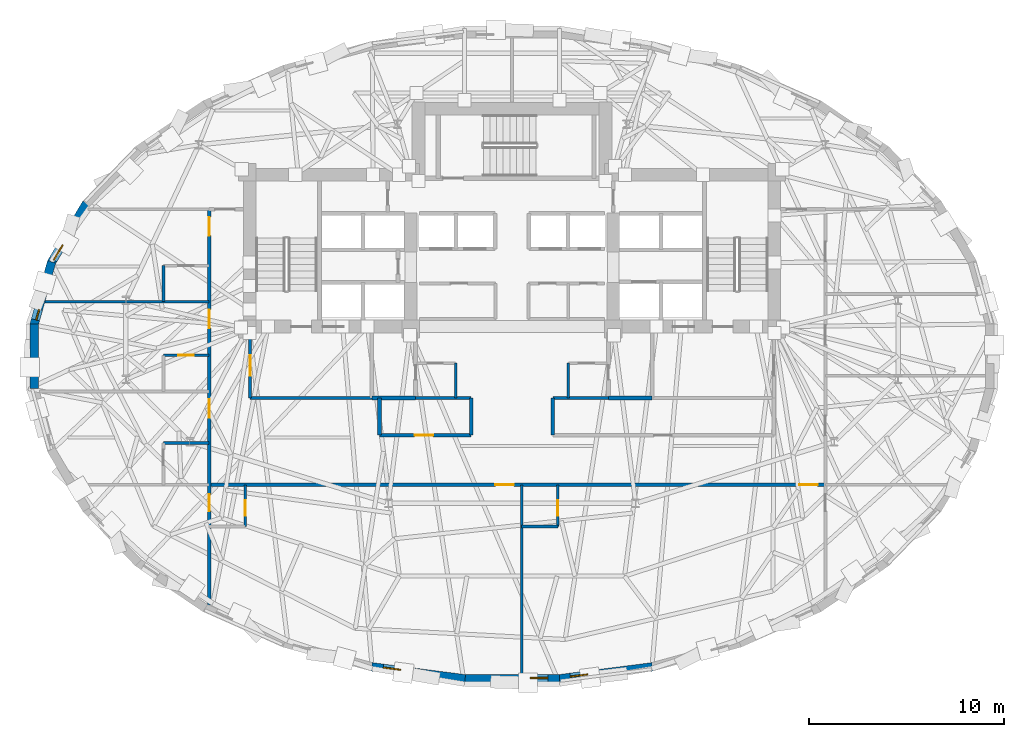
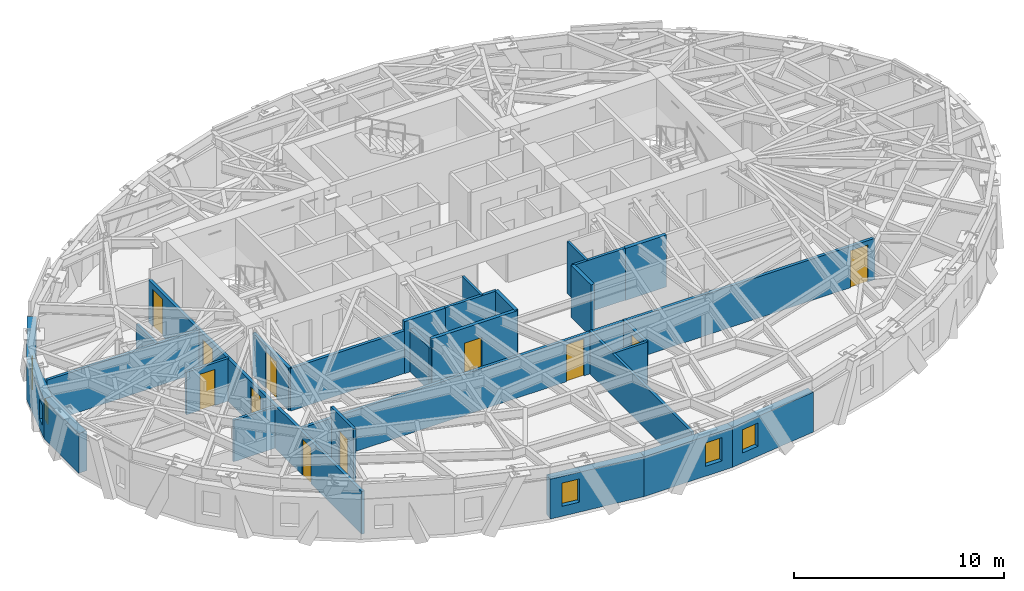
# One storey, part 6 of 14: 28 walls, 11 doors, 5 windows, 16 openings.
"""IFC4 building model written with IfcOpenShell, lengths in metres."""

from ifc_helpers import new_model, si_unit, direction, frame, frame_2d, origin, place, context, subcontext, project, spatial, rectangle, extrude, material, layer, layer_set, type_object, element, fill, save


model = new_model("IFC4")

# Units and contexts
model_context = context("Model", 3, precision=1e-05, world=origin(), true_north=direction((0.0, 1.0)))
body_context = subcontext(model_context, "Body", "Model", "MODEL_VIEW")
ifc_project = project(units=[si_unit("LENGTHUNIT", "METRE"), si_unit("AREAUNIT", "SQUARE_METRE"), si_unit("VOLUMEUNIT", "CUBIC_METRE"), si_unit("PLANEANGLEUNIT", "RADIAN"), si_unit("MASSUNIT", "GRAM", prefix="KILO")], contexts=[model_context])

# Site, building, storey
site_placement = place(None, origin())
site = spatial("IfcSite", under=ifc_project, at=site_placement, CompositionType="ELEMENT")
building_placement = place(site_placement, origin())
building = spatial("IfcBuilding", under=site, at=building_placement, Name="Keldmark Tower", CompositionType="ELEMENT")
storey_placement = place(building_placement, frame((0.0, 0.0, 169.39990234375)))
storey = spatial("IfcBuildingStorey", under=building, at=storey_placement, Name="L46", CompositionType="ELEMENT", Elevation=169.39990234375)

# Wall, opening, door
ifc_material_1 = material(Name="Heavy Acoustic Plumbing Chase Gypsum Assembly", Category="gypsum")
ifc_layer_1 = layer(ifc_material_1, 0.18994140625)
ifc_layer_set_1 = layer_set([ifc_layer_1], Name="Heavy Acoustic Plumbing Chase Gypsum Assembly")
wall_type_1 = type_object("IfcWallType", Name="Heavy Wet Wall 190 mm", PredefinedType="PLUMBINGWALL", material=ifc_layer_set_1)
wall_1_placement = place(storey_placement, frame((-6.800048828125, -4.050048828125, 0.0), z_axis=(0.0, 0.0, 1.0), x_axis=(1.0, 0.0, 0.0)))
wall_1 = element("IfcWall", 1, at=wall_1_placement, inside=storey, type_object=wall_type_1, Name="L46 Heavy Wet Wall 190 mm SPK-W-S", PredefinedType="PLUMBINGWALL", context=body_context, shape_type="SweptSolid", body=[
    extrude(rectangle(XDim=4.699951171875, YDim=0.18994140625, at=frame_2d((2.35009765625, 0.0))), origin(), (0.0, 0.0, 1.0), 3.02001953125),
])
opening_1_placement = place(wall_1_placement, frame((1.800048828125, 0.0, 0.0)))
opening_1 = element("IfcOpeningElement", 2, at=opening_1_placement, cuts=wall_1, Name="Opening D-AWC95", PredefinedType="OPENING", context=body_context, shape_type="SweptSolid", body=[
    extrude(rectangle(XDim=0.949951171875, YDim=2.14990234375, at=frame_2d((0.47509765625, 1.074951171875))), frame((0.0, 0.10498046875, 0.0), z_axis=(0.0, -1.0, 0.0), x_axis=(1.0, 0.0, 0.0)), (0.0, 0.0, 1.0), 0.2099609375),
])
ifc_material_2 = material(Name="Painted Solid-Core Architectural Wood", Category="wood")
door_type_1 = type_object("IfcDoorType", Name="Accessible WC Door 950x2150", OperationType="NOTDEFINED", PredefinedType="DOOR", material=ifc_material_2)
door_1_placement = place(opening_1_placement, origin())
door_1 = element("IfcDoor", 3, at=door_1_placement, inside=storey, type_object=door_type_1, Name="L46 Accessible WC Door 950x2150 D-SPKW1-L46", OperationType="SINGLE_SWING_LEFT", OverallHeight=2.14990234375, OverallWidth=0.949951171875, PredefinedType="DOOR", context=body_context, shape_type="SweptSolid", body=[
    extrude(rectangle(XDim=0.949951171875, YDim=2.14990234375, at=frame_2d((0.47509765625, 1.074951171875))), frame((0.0, 0.02490234375, 0.0), z_axis=(0.0, -1.0, 0.0), x_axis=(1.0, 0.0, 0.0)), (0.0, 0.0, 1.0), 0.050048828125),
])
fill(opening_1, door_1)

# Walls
wall_2_placement = place(storey_placement, frame((-6.800048828125, -4.050048828125, 0.0), z_axis=(0.0, 0.0, 1.0), x_axis=(0.0, 1.0, 0.0)))
element("IfcWall", 4, at=wall_2_placement, inside=storey, type_object=wall_type_1, Name="L46 Heavy Wet Wall 190 mm SPK-W-W", PredefinedType="PLUMBINGWALL", context=body_context, shape_type="SweptSolid", body=[
    extrude(rectangle(XDim=1.900146484375, YDim=0.18994140625, at=frame_2d((0.9501953125, 0.0))), origin(), (0.0, 0.0, 1.0), 2.47314453125),
])
for number, where, z_axis, x_axis, name in (
    (5, (-2.10009765625, -4.050048828125, 0.0), (0.0, 0.0, 1.0), (0.0, 1.0, 0.0), "L46 Heavy Wet Wall 190 mm SPK-W-E"),
    (6, (2.10009765625, -4.050048828125, 0.0), (0.0, 0.0, 1.0), (0.0, 1.0, 0.0), "L46 Heavy Wet Wall 190 mm SPK-E-W"),
):
    element("IfcWall", number, at=place(storey_placement, frame(where, z_axis=z_axis, x_axis=x_axis)), inside=storey, type_object=wall_type_1, Name=name, PredefinedType="PLUMBINGWALL", context=body_context, shape_type="SweptSolid", body=[
        extrude(rectangle(XDim=1.900146484375, YDim=0.18994140625, at=frame_2d((0.9501953125, 0.0))), origin(), (0.0, 0.0, 1.0), 3.02001953125),
    ])
ifc_material_3 = material(Name="Acoustic Gypsum Board Interior Partition", Category="gypsum")
ifc_layer_2 = layer(ifc_material_3, 0.1298828125)
ifc_layer_set_2 = layer_set([ifc_layer_2], Name="Acoustic Gypsum Board Interior Partition")
wall_type_2 = type_object("IfcWallType", Name="Interior Partition 130 mm", PredefinedType="PARTITIONING", material=ifc_layer_set_2)
for number, where, z_axis, x_axis, name in (
    (7, (-2.889892578125, -2.14990234375, 0.0), (0.0, 0.0, 1.0), (0.0, 1.0, 0.0), "L46 Interior Partition 130 mm CSC-W-E"),
    (8, (2.889892578125, -2.14990234375, 0.0), (0.0, 0.0, 1.0), (0.0, 1.0, 0.0), "L46 Interior Partition 130 mm CSC-E-W"),
):
    element("IfcWall", number, at=place(storey_placement, frame(where, z_axis=z_axis, x_axis=x_axis)), inside=storey, type_object=wall_type_2, Name=name, PredefinedType="PARTITIONING", context=body_context, shape_type="SweptSolid", body=[
        extrude(rectangle(XDim=1.7998046875, YDim=0.1298828125, at=frame_2d((0.89990234375, 0.0))), origin(), (0.0, 0.0, 1.0), 3.02001953125),
    ])
ifc_material_4 = material(Name="Type X Fire-Rated Gypsum Partition Assembly", Category="gypsum")
ifc_layer_3 = layer(ifc_material_4, 0.1650390625)
ifc_layer_set_3 = layer_set([ifc_layer_3], Name="Type X Fire-Rated Gypsum Partition Assembly")
wall_type_3 = type_object("IfcWallType", Name="Rated Partition 165 mm", PredefinedType="PARTITIONING", material=ifc_layer_set_3)
wall_3_placement = place(storey_placement, frame((-13.449951171875, -2.14990234375, 0.0), z_axis=(0.0, 0.0, 1.0), x_axis=(1.0, 0.0, 0.0)))
element("IfcWall", 9, at=wall_3_placement, inside=storey, type_object=wall_type_3, Name="L46 Rated Partition 165 mm FSAE-W-S", PredefinedType="PARTITIONING", context=body_context, shape_type="SweptSolid", body=[
    extrude(rectangle(XDim=6.25, YDim=0.1650390625, at=frame_2d((3.125, 0.0))), origin(), (0.0, 0.0, 1.0), 2.47314453125),
])

# Wall, opening, door
wall_4_placement = place(storey_placement, frame((-13.449951171875, -2.14990234375, 0.0), z_axis=(0.0, 0.0, 1.0), x_axis=(0.0, 1.0, 0.0)))
wall_4 = element("IfcWall", 10, at=wall_4_placement, inside=storey, type_object=wall_type_3, Name="L46 Rated Partition 165 mm FSAE-W-W", PredefinedType="PARTITIONING", context=body_context, shape_type="SweptSolid", body=[
    extrude(rectangle(XDim=3.39990234375, YDim=0.1650390625, at=frame_2d((1.699951171875, 0.0))), origin(), (0.0, 0.0, 1.0), 2.47314453125),
])
opening_2_placement = place(wall_4_placement, frame((1.14990234375, 0.0, 0.0)))
opening_2 = element("IfcOpeningElement", 11, at=opening_2_placement, cuts=wall_4, Name="Opening D-FL105", PredefinedType="OPENING", context=body_context, shape_type="SweptSolid", body=[
    extrude(rectangle(XDim=1.050048828125, YDim=2.14990234375, at=frame_2d((0.52490234375, 1.074951171875))), frame((0.0, 0.092529296875, 0.0), z_axis=(0.0, -1.0, 0.0), x_axis=(1.0, 0.0, 0.0)), (0.0, 0.0, 1.0), 0.18505859375),
])
ifc_material_5 = material(Name="Fire-Rated Mineral-Core Door and Vision Lite", Category="metal")
door_type_2 = type_object("IfcDoorType", Name="Fire Lobby Door 1050x2150", OperationType="NOTDEFINED", PredefinedType="DOOR", material=ifc_material_5)
door_2_placement = place(opening_2_placement, origin())
door_2 = element("IfcDoor", 12, at=door_2_placement, inside=storey, type_object=door_type_2, Name="L46 Fire Lobby Door 1050x2150 D-FSAEW-OUT-L46", OperationType="SINGLE_SWING_LEFT", OverallHeight=2.14990234375, OverallWidth=1.050048828125, PredefinedType="DOOR", context=body_context, shape_type="SweptSolid", body=[
    extrude(rectangle(XDim=1.050048828125, YDim=2.14990234375, at=frame_2d((0.52490234375, 1.074951171875))), frame((0.0, 0.02490234375, 0.0), z_axis=(0.0, -1.0, 0.0), x_axis=(1.0, 0.0, 0.0)), (0.0, 0.0, 1.0), 0.050048828125),
])
fill(opening_2, door_2)

# Wall, openings, doors
wall_5_placement = place(storey_placement, frame((-15.550048828125, -6.60009765625, 0.0), z_axis=(0.0, 0.0, 1.0), x_axis=(1.0, 0.0, 0.0)))
wall_5 = element("IfcWall", 13, at=wall_5_placement, inside=storey, type_object=wall_type_3, Name="L46 Rated Partition 165 mm HCOR-S", PredefinedType="PARTITIONING", context=body_context, shape_type="SweptSolid", body=[
    extrude(rectangle(XDim=31.650146484375, YDim=0.1650390625, at=frame_2d((15.8251953125, 0.0))), origin(), (0.0, 0.0, 1.0), 2.398193359375),
])
opening_3_placement = place(wall_5_placement, frame((14.699951171875, 0.0, 0.0)))
opening_3 = element("IfcOpeningElement", 14, at=opening_3_placement, cuts=wall_5, Name="Opening D-HT095", PredefinedType="OPENING", context=body_context, shape_type="SweptSolid", body=[
    extrude(rectangle(XDim=0.949951171875, YDim=2.14990234375, at=frame_2d((0.47509765625, 1.074951171875))), frame((0.0, 0.092529296875, 0.0), z_axis=(0.0, -1.0, 0.0), x_axis=(1.0, 0.0, 0.0)), (0.0, 0.0, 1.0), 0.18505859375),
])
opening_4_placement = place(wall_5_placement, frame((30.300048828125, 0.0, 0.0)))
opening_4 = element("IfcOpeningElement", 15, at=opening_4_placement, cuts=wall_5, Name="Opening D-HT095", PredefinedType="OPENING", context=body_context, shape_type="SweptSolid", body=[
    extrude(rectangle(XDim=0.949951171875, YDim=2.14990234375, at=frame_2d((0.47509765625, 1.074951171875))), frame((0.0, 0.092529296875, 0.0), z_axis=(0.0, -1.0, 0.0), x_axis=(1.0, 0.0, 0.0)), (0.0, 0.0, 1.0), 0.18505859375),
])
ifc_material_6 = material(Name="Solid-Core Acoustic White Oak Fire-Rated Assembly", Category="wood")
door_type_3 = type_object("IfcDoorType", Name="Hotel Entry Door 950x2150", OperationType="NOTDEFINED", PredefinedType="DOOR", material=ifc_material_6)
door_3_placement = place(opening_3_placement, origin())
door_3 = element("IfcDoor", 16, at=door_3_placement, inside=storey, type_object=door_type_3, Name="L46 Hotel Entry Door 950x2150 D-HRS1-L46", OperationType="SINGLE_SWING_RIGHT", OverallHeight=2.14990234375, OverallWidth=0.949951171875, PredefinedType="DOOR", context=body_context, shape_type="SweptSolid", body=[
    extrude(rectangle(XDim=0.949951171875, YDim=2.14990234375, at=frame_2d((0.47509765625, 1.074951171875))), frame((0.0, 0.02490234375, 0.0), z_axis=(0.0, -1.0, 0.0), x_axis=(1.0, 0.0, 0.0)), (0.0, 0.0, 1.0), 0.050048828125),
])
fill(opening_3, door_3)
door_4_placement = place(opening_4_placement, origin())
door_4 = element("IfcDoor", 17, at=door_4_placement, inside=storey, type_object=door_type_3, Name="L46 Hotel Entry Door 950x2150 D-HRS2-L46", OperationType="SINGLE_SWING_LEFT", OverallHeight=2.14990234375, OverallWidth=0.949951171875, PredefinedType="DOOR", context=body_context, shape_type="SweptSolid", body=[
    extrude(rectangle(XDim=0.949951171875, YDim=2.14990234375, at=frame_2d((0.47509765625, 1.074951171875))), frame((0.0, 0.02490234375, 0.0), z_axis=(0.0, -1.0, 0.0), x_axis=(1.0, 0.0, 0.0)), (0.0, 0.0, 1.0), 0.050048828125),
])
fill(opening_4, door_4)

wall_6_placement = place(storey_placement, frame((-15.550048828125, -12.77294921875, 0.0), z_axis=(0.0, 0.0, 1.0), x_axis=(0.0, 1.0, 0.0)))
wall_6 = element("IfcWall", 18, at=wall_6_placement, inside=storey, type_object=wall_type_3, Name="L46 Rated Partition 165 mm HCOR-W", PredefinedType="PARTITIONING", context=body_context, shape_type="SweptSolid", body=[
    extrude(rectangle(XDim=20.322998046875, YDim=0.1650390625, at=frame_2d((10.16162109375, 0.0))), origin(), (0.0, 0.0, 1.0), 2.47314453125),
])
opening_5_placement = place(wall_6_placement, frame((4.8232421875, 0.0, 0.0)))
opening_5 = element("IfcOpeningElement", 19, at=opening_5_placement, cuts=wall_6, Name="Opening D-IN085", PredefinedType="OPENING", context=body_context, shape_type="SweptSolid", body=[
    extrude(rectangle(XDim=0.85009765625, YDim=2.10009765625, at=frame_2d((0.425048828125, 1.050048828125))), frame((0.0, 0.092529296875, 0.0), z_axis=(0.0, -1.0, 0.0), x_axis=(1.0, 0.0, 0.0)), (0.0, 0.0, 1.0), 0.18505859375),
])
opening_6_placement = place(wall_6_placement, frame((9.623291015625, 0.0, 0.0)))
opening_6 = element("IfcOpeningElement", 20, at=opening_6_placement, cuts=wall_6, Name="Opening D-HT095", PredefinedType="OPENING", context=body_context, shape_type="SweptSolid", body=[
    extrude(rectangle(XDim=0.949951171875, YDim=2.14990234375, at=frame_2d((0.47509765625, 1.074951171875))), frame((0.0, 0.092529296875, 0.0), z_axis=(0.0, -1.0, 0.0), x_axis=(1.0, 0.0, 0.0)), (0.0, 0.0, 1.0), 0.18505859375),
])
opening_7_placement = place(wall_6_placement, frame((14.22314453125, 0.0, 0.0)))
opening_7 = element("IfcOpeningElement", 21, at=opening_7_placement, cuts=wall_6, Name="Opening D-HT095", PredefinedType="OPENING", context=body_context, shape_type="SweptSolid", body=[
    extrude(rectangle(XDim=0.949951171875, YDim=2.14990234375, at=frame_2d((0.47509765625, 1.074951171875))), frame((0.0, 0.092529296875, 0.0), z_axis=(0.0, -1.0, 0.0), x_axis=(1.0, 0.0, 0.0)), (0.0, 0.0, 1.0), 0.18505859375),
])
opening_8_placement = place(wall_6_placement, frame((18.97314453125, 0.0, 0.0)))
opening_8 = element("IfcOpeningElement", 22, at=opening_8_placement, cuts=wall_6, Name="Opening D-HT095", PredefinedType="OPENING", context=body_context, shape_type="SweptSolid", body=[
    extrude(rectangle(XDim=0.949951171875, YDim=2.14990234375, at=frame_2d((0.47509765625, 1.074951171875))), frame((0.0, 0.092529296875, 0.0), z_axis=(0.0, -1.0, 0.0), x_axis=(1.0, 0.0, 0.0)), (0.0, 0.0, 1.0), 0.18505859375),
])
door_5_placement = place(opening_6_placement, origin())
door_5 = element("IfcDoor", 23, at=door_5_placement, inside=storey, type_object=door_type_3, Name="L46 Hotel Entry Door 950x2150 D-HR-3-L46", OperationType="SINGLE_SWING_RIGHT", OverallHeight=2.14990234375, OverallWidth=0.949951171875, PredefinedType="DOOR", context=body_context, shape_type="SweptSolid", body=[
    extrude(rectangle(XDim=0.949951171875, YDim=2.14990234375, at=frame_2d((0.47509765625, 1.074951171875))), frame((0.0, 0.02490234375, 0.0), z_axis=(0.0, -1.0, 0.0), x_axis=(1.0, 0.0, 0.0)), (0.0, 0.0, 1.0), 0.050048828125),
])
fill(opening_6, door_5)
door_6_placement = place(opening_7_placement, origin())
door_6 = element("IfcDoor", 24, at=door_6_placement, inside=storey, type_object=door_type_3, Name="L46 Hotel Entry Door 950x2150 D-HR-4-L46", OperationType="SINGLE_SWING_RIGHT", OverallHeight=2.14990234375, OverallWidth=0.949951171875, PredefinedType="DOOR", context=body_context, shape_type="SweptSolid", body=[
    extrude(rectangle(XDim=0.949951171875, YDim=2.14990234375, at=frame_2d((0.47509765625, 1.074951171875))), frame((0.0, 0.02490234375, 0.0), z_axis=(0.0, -1.0, 0.0), x_axis=(1.0, 0.0, 0.0)), (0.0, 0.0, 1.0), 0.050048828125),
])
fill(opening_7, door_6)
door_7_placement = place(opening_8_placement, origin())
door_7 = element("IfcDoor", 25, at=door_7_placement, inside=storey, type_object=door_type_3, Name="L46 Hotel Entry Door 950x2150 D-HR-5-L46", OperationType="SINGLE_SWING_RIGHT", OverallHeight=2.14990234375, OverallWidth=0.949951171875, PredefinedType="DOOR", context=body_context, shape_type="SweptSolid", body=[
    extrude(rectangle(XDim=0.949951171875, YDim=2.14990234375, at=frame_2d((0.47509765625, 1.074951171875))), frame((0.0, 0.02490234375, 0.0), z_axis=(0.0, -1.0, 0.0), x_axis=(1.0, 0.0, 0.0)), (0.0, 0.0, 1.0), 0.050048828125),
])
fill(opening_8, door_7)
ifc_material_7 = material(Name="Painted Architectural Wood", Category="wood")
door_type_4 = type_object("IfcDoorType", Name="Interior Door 850x2100", OperationType="NOTDEFINED", PredefinedType="DOOR", material=ifc_material_7)
door_8_placement = place(opening_5_placement, origin())
door_8 = element("IfcDoor", 26, at=door_8_placement, inside=storey, type_object=door_type_4, Name="L46 Interior Door 850x2100 D-HKSW-L46", OperationType="SINGLE_SWING_LEFT", OverallHeight=2.10009765625, OverallWidth=0.85009765625, PredefinedType="DOOR", context=body_context, shape_type="SweptSolid", body=[
    extrude(rectangle(XDim=0.85009765625, YDim=2.10009765625, at=frame_2d((0.425048828125, 1.050048828125))), frame((0.0, 0.02490234375, 0.0), z_axis=(0.0, -1.0, 0.0), x_axis=(1.0, 0.0, 0.0)), (0.0, 0.0, 1.0), 0.050048828125),
])
fill(opening_5, door_8)

# Walls
ifc_material_8 = material(Name="Fire-Resistant Type X Gypsum Shaftliner Coreboard", Category="gypsum")
ifc_layer_4 = layer(ifc_material_8, 0.199951171875)
ifc_layer_set_4 = layer_set([ifc_layer_4], Name="Fire-Resistant Type X Gypsum Shaftliner Coreboard")
wall_type_4 = type_object("IfcWallType", Name="Shaft Wall 200 mm", PredefinedType="SOLIDWALL", material=ifc_layer_set_4)
for number, where, z_axis, x_axis, name in (
    (27, (-7.199951171875, -2.14990234375, 0.0), (0.0, 0.0, 1.0), (1.0, 0.0, 0.0), "L46 Shaft Wall 200 mm RIS-SW-S"),
    (28, (4.949951171875, -2.14990234375, 0.0), (0.0, 0.0, 1.0), (1.0, 0.0, 0.0), "L46 Shaft Wall 200 mm RIS-SE-S"),
):
    element("IfcWall", number, at=place(storey_placement, frame(where, z_axis=z_axis, x_axis=x_axis)), inside=storey, type_object=wall_type_4, Name=name, PredefinedType="SOLIDWALL", context=body_context, shape_type="SweptSolid", body=[
        extrude(rectangle(XDim=2.25, YDim=0.199951171875, at=frame_2d((1.125, 0.0))), origin(), (0.0, 0.0, 1.0), 3.02001953125),
    ])

# Wall, opening, window
ifc_material_9 = material(Name="Ironspot Manganese Brick and Kasota Buff Limestone Spandrel Assembly", Category="masonry")
ifc_layer_5 = layer(ifc_material_9, 0.43994140625)
ifc_layer_set_5 = layer_set([ifc_layer_5], Name="Ironspot Manganese Brick and Kasota Buff Limestone Spandrel Assembly")
wall_type_5 = type_object("IfcWallType", Name="Tower Brick Pier and Spandrel Wall 440 mm", PredefinedType="STANDARD", material=ifc_layer_set_5)
wall_7_placement = place(storey_placement, frame((-23.66748046875, 4.793701171875, 0.0), z_axis=(0.0, 0.0, 1.0), x_axis=(0.508883387051, 0.860835465338, 0.0)))
wall_7 = element("IfcWall", 29, at=wall_7_placement, inside=storey, type_object=wall_type_5, Name="L46 Exterior Brick and Spandrel Wall 14", PredefinedType="STANDARD", context=body_context, shape_type="SweptSolid", body=[
    extrude(rectangle(XDim=3.57666015625, YDim=0.43994140625, at=frame_2d((1.788330078125, 0.0))), origin(), (0.0, 0.0, 1.0), 2.315185546875),
])
opening_9_placement = place(wall_7_placement, frame((0.199951171875, 0.0, 0.419921875)))
opening_9 = element("IfcOpeningElement", 30, at=opening_9_placement, cuts=wall_7, Name="Opening W-09", PredefinedType="OPENING", context=body_context, shape_type="SweptSolid", body=[
    extrude(rectangle(XDim=0.89990234375, YDim=1.35009765625, at=frame_2d((0.449951171875, 0.675048828125))), frame((0.0, 0.22998046875, 0.0), z_axis=(0.0, -1.0, 0.0), x_axis=(1.0, 0.0, 0.0)), (0.0, 0.0, 1.0), 0.4599609375),
])
ifc_material_10 = material(Name="Thermally Broken Anodized Aluminum and Triple Low-E Argon Glazing", Category="aluminium")
window_type_1 = type_object("IfcWindowType", Name="Corner Pier Deep-Set Window 900x1350", PartitioningType="SINGLE_PANEL", PredefinedType="WINDOW", material=ifc_material_10)
window_1_placement = place(opening_9_placement, origin())
window_1 = element("IfcWindow", 31, at=window_1_placement, inside=storey, type_object=window_type_1, Name="L46 Deep-Set Window 14", OverallHeight=1.35009765625, OverallWidth=0.89990234375, PartitioningType="SINGLE_PANEL", PredefinedType="WINDOW", context=body_context, shape_type="SweptSolid", body=[
    extrude(rectangle(XDim=0.89990234375, YDim=1.35009765625, at=frame_2d((0.449951171875, 0.675048828125))), frame((0.0, -0.010009765625, 0.0), z_axis=(0.0, -1.0, 0.0), x_axis=(1.0, 0.0, 0.0)), (0.0, 0.0, 1.0), 0.06005859375),
])
fill(opening_9, window_1)

wall_8_placement = place(storey_placement, frame((-24.55419921875, 1.59423828125, 0.0), z_axis=(0.0, 0.0, 1.0), x_axis=(0.269235699479, 0.963074315993, 0.0)))
wall_8 = element("IfcWall", 32, at=wall_8_placement, inside=storey, type_object=wall_type_5, Name="L46 Exterior Brick and Spandrel Wall 15", PredefinedType="STANDARD", context=body_context, shape_type="SweptSolid", body=[
    extrude(rectangle(XDim=3.376953125, YDim=0.43994140625, at=frame_2d((1.6884765625, 0.0))), origin(), (0.0, 0.0, 1.0), 2.315185546875),
])
opening_10_placement = place(wall_8_placement, frame((0.289306640625, 0.0, 0.580078125)))
opening_10 = element("IfcOpeningElement", 33, at=opening_10_placement, cuts=wall_8, Name="Opening W-10", PredefinedType="OPENING", context=body_context, shape_type="SweptSolid", body=[
    extrude(rectangle(XDim=0.56005859375, YDim=1.14990234375, at=frame_2d((0.280029296875, 0.574951171875))), frame((0.0, 0.22998046875, 0.0), z_axis=(0.0, -1.0, 0.0), x_axis=(1.0, 0.0, 0.0)), (0.0, 0.0, 1.0), 0.4599609375),
])
ifc_material_11 = material(Name="Thermally Broken Anodized Aluminum and Triple Low-E Argon Glazing", Category="aluminium")
window_type_2 = type_object("IfcWindowType", Name="Narrow Pier Lancet Window 560x1150", PartitioningType="SINGLE_PANEL", PredefinedType="WINDOW", material=ifc_material_11)
window_2_placement = place(opening_10_placement, origin())
window_2 = element("IfcWindow", 34, at=window_2_placement, inside=storey, type_object=window_type_2, Name="L46 Pier Window RM02", OverallHeight=1.14990234375, OverallWidth=0.56005859375, PartitioningType="SINGLE_PANEL", PredefinedType="WINDOW", context=body_context, shape_type="SweptSolid", body=[
    extrude(rectangle(XDim=0.56005859375, YDim=1.14990234375, at=frame_2d((0.280029296875, 0.574951171875))), frame((0.0, -0.010009765625, 0.0), z_axis=(0.0, -1.0, 0.0), x_axis=(1.0, 0.0, 0.0)), (0.0, 0.0, 1.0), 0.06005859375),
])
fill(opening_10, window_2)

# Wall
wall_9_placement = place(storey_placement, frame((-24.5458984375, -1.653564453125, 0.0), z_axis=(0.0, 0.0, 1.0), x_axis=(0.0, 1.0, 0.0)))
element("IfcWall", 35, at=wall_9_placement, inside=storey, type_object=wall_type_5, Name="L46 Exterior Brick and Spandrel Wall 16", PredefinedType="STANDARD", context=body_context, shape_type="SweptSolid", body=[
    extrude(rectangle(XDim=3.30712890625, YDim=0.43994140625, at=frame_2d((1.653564453125, 0.0))), origin(), (0.0, 0.0, 1.0), 2.315185546875),
])

# Wall, opening, window
wall_10_placement = place(storey_placement, frame((-2.4111328125, -16.56982421875, 0.0), z_axis=(0.0, 0.0, 1.0), x_axis=(-0.991852910824, 0.127388395426, 0.0)))
wall_10 = element("IfcWall", 36, at=wall_10_placement, inside=storey, type_object=wall_type_5, Name="L46 Exterior Brick and Spandrel Wall 23", PredefinedType="STANDARD", context=body_context, shape_type="SweptSolid", body=[
    extrude(rectangle(XDim=4.837158203125, YDim=0.43994140625, at=frame_2d((2.41845703125, 0.0))), origin(), (0.0, 0.0, 1.0), 2.315185546875),
])
opening_11_placement = place(wall_10_placement, frame((3.338623046875, 0.0, 0.580078125)))
opening_11 = element("IfcOpeningElement", 37, at=opening_11_placement, cuts=wall_10, Name="Opening W-09", PredefinedType="OPENING", context=body_context, shape_type="SweptSolid", body=[
    extrude(rectangle(XDim=0.89990234375, YDim=1.35009765625, at=frame_2d((0.449951171875, 0.675048828125))), frame((0.0, 0.22998046875, 0.0), z_axis=(0.0, -1.0, 0.0), x_axis=(1.0, 0.0, 0.0)), (0.0, 0.0, 1.0), 0.4599609375),
])
window_3_placement = place(opening_11_placement, origin())
window_3 = element("IfcWindow", 38, at=window_3_placement, inside=storey, type_object=window_type_1, Name="L46 Deep-Set Window 23", OverallHeight=1.35009765625, OverallWidth=0.89990234375, PartitioningType="SINGLE_PANEL", PredefinedType="WINDOW", context=body_context, shape_type="SweptSolid", body=[
    extrude(rectangle(XDim=0.89990234375, YDim=1.35009765625, at=frame_2d((0.449951171875, 0.675048828125))), frame((0.0, -0.010009765625, 0.0), z_axis=(0.0, -1.0, 0.0), x_axis=(1.0, 0.0, 0.0)), (0.0, 0.0, 1.0), 0.06005859375),
])
fill(opening_11, window_3)

wall_11_placement = place(storey_placement, frame((2.439208984375, -16.568115234375, 0.0), z_axis=(0.0, 0.0, 1.0), x_axis=(-1.0, 0.0, 0.0)))
wall_11 = element("IfcWall", 39, at=wall_11_placement, inside=storey, type_object=wall_type_5, Name="L46 Exterior Brick and Spandrel Wall 24", PredefinedType="STANDARD", context=body_context, shape_type="SweptSolid", body=[
    extrude(rectangle(XDim=4.87841796875, YDim=0.43994140625, at=frame_2d((2.439208984375, 0.0))), origin(), (0.0, 0.0, 1.0), 2.315185546875),
])
opening_12_placement = place(wall_11_placement, frame((0.59765625, 0.0, 0.580078125)))
opening_12 = element("IfcOpeningElement", 40, at=opening_12_placement, cuts=wall_11, Name="Opening W-09", PredefinedType="OPENING", context=body_context, shape_type="SweptSolid", body=[
    extrude(rectangle(XDim=0.89990234375, YDim=1.35009765625, at=frame_2d((0.449951171875, 0.675048828125))), frame((0.0, 0.22998046875, 0.0), z_axis=(0.0, -1.0, 0.0), x_axis=(1.0, 0.0, 0.0)), (0.0, 0.0, 1.0), 0.4599609375),
])
window_4_placement = place(opening_12_placement, origin())
window_4 = element("IfcWindow", 41, at=window_4_placement, inside=storey, type_object=window_type_1, Name="L46 Deep-Set Window 24", OverallHeight=1.35009765625, OverallWidth=0.89990234375, PartitioningType="SINGLE_PANEL", PredefinedType="WINDOW", context=body_context, shape_type="SweptSolid", body=[
    extrude(rectangle(XDim=0.89990234375, YDim=1.35009765625, at=frame_2d((0.449951171875, 0.675048828125))), frame((0.0, -0.010009765625, 0.0), z_axis=(0.0, -1.0, 0.0), x_axis=(1.0, 0.0, 0.0)), (0.0, 0.0, 1.0), 0.06005859375),
])
fill(opening_12, window_4)

wall_12_placement = place(storey_placement, frame((7.208984375, -15.95361328125, 0.0), z_axis=(0.0, 0.0, 1.0), x_axis=(-0.991852910824, -0.127388395426, 0.0)))
wall_12 = element("IfcWall", 42, at=wall_12_placement, inside=storey, type_object=wall_type_5, Name="L46 Exterior Brick and Spandrel Wall 25", PredefinedType="STANDARD", context=body_context, shape_type="SweptSolid", body=[
    extrude(rectangle(XDim=4.837158203125, YDim=0.43994140625, at=frame_2d((2.41845703125, 0.0))), origin(), (0.0, 0.0, 1.0), 2.315185546875),
])
opening_13_placement = place(wall_12_placement, frame((3.338623046875, 0.0, 0.580078125)))
opening_13 = element("IfcOpeningElement", 43, at=opening_13_placement, cuts=wall_12, Name="Opening W-09", PredefinedType="OPENING", context=body_context, shape_type="SweptSolid", body=[
    extrude(rectangle(XDim=0.89990234375, YDim=1.35009765625, at=frame_2d((0.449951171875, 0.675048828125))), frame((0.0, 0.22998046875, 0.0), z_axis=(0.0, -1.0, 0.0), x_axis=(1.0, 0.0, 0.0)), (0.0, 0.0, 1.0), 0.4599609375),
])
window_5_placement = place(opening_13_placement, origin())
window_5 = element("IfcWindow", 44, at=window_5_placement, inside=storey, type_object=window_type_1, Name="L46 Deep-Set Window 25", OverallHeight=1.35009765625, OverallWidth=0.89990234375, PartitioningType="SINGLE_PANEL", PredefinedType="WINDOW", context=body_context, shape_type="SweptSolid", body=[
    extrude(rectangle(XDim=0.89990234375, YDim=1.35009765625, at=frame_2d((0.449951171875, 0.675048828125))), frame((0.0, -0.010009765625, 0.0), z_axis=(0.0, -1.0, 0.0), x_axis=(1.0, 0.0, 0.0)), (0.0, 0.0, 1.0), 0.06005859375),
])
fill(opening_13, window_5)

# Walls
ifc_material_12 = material(Name="Moisture-Resistant Gypsum Plumbing Partition", Category="gypsum")
ifc_layer_6 = layer(ifc_material_12, 0.14990234375)
ifc_layer_set_6 = layer_set([ifc_layer_6], Name="Moisture-Resistant Gypsum Plumbing Partition")
wall_type_6 = type_object("IfcWallType", Name="Wet Wall 150 mm", PredefinedType="PLUMBINGWALL", material=ifc_layer_set_6)
for number, where, z_axis, x_axis, name in (
    (45, (-4.949951171875, -2.14990234375, 0.0), (0.0, 0.0, 1.0), (1.0, 0.0, 0.0), "L46 Wet Wall 150 mm SPK-W-N"),
    (46, (2.10009765625, -2.14990234375, 0.0), (0.0, 0.0, 1.0), (1.0, 0.0, 0.0), "L46 Wet Wall 150 mm SPK-E-N"),
):
    element("IfcWall", number, at=place(storey_placement, frame(where, z_axis=z_axis, x_axis=x_axis)), inside=storey, type_object=wall_type_6, Name=name, PredefinedType="PLUMBINGWALL", context=body_context, shape_type="SweptSolid", body=[
        extrude(rectangle(XDim=2.849853515625, YDim=0.14990234375, at=frame_2d((1.4248046875, 0.0))), origin(), (0.0, 0.0, 1.0), 3.02001953125),
    ])
wall_13_placement = place(storey_placement, frame((0.5, -16.340087890625, 0.0), z_axis=(0.0, 0.0, 1.0), x_axis=(0.0, 1.0, 0.0)))
element("IfcWall", 47, at=wall_13_placement, inside=storey, type_object=wall_type_6, Name="L46 Wet Wall 150 mm HS-DIV-1", PredefinedType="PLUMBINGWALL", context=body_context, shape_type="SweptSolid", body=[
    extrude(rectangle(XDim=9.739990234375, YDim=0.14990234375, at=frame_2d((4.8701171875, 0.0))), origin(), (0.0, 0.0, 1.0), 2.47314453125),
])

# Wall, opening, door
wall_14_placement = place(storey_placement, frame((-13.699951171875, -8.75, 0.0), z_axis=(0.0, 0.0, 1.0), x_axis=(0.0, 1.0, 0.0)))
wall_14 = element("IfcWall", 48, at=wall_14_placement, inside=storey, type_object=wall_type_6, Name="L46 Wet Wall 150 mm HB-S1-E", PredefinedType="PLUMBINGWALL", context=body_context, shape_type="SweptSolid", body=[
    extrude(rectangle(XDim=2.14990234375, YDim=0.14990234375, at=frame_2d((1.074951171875, 0.0))), origin(), (0.0, 0.0, 1.0), 3.02001953125),
])
opening_14_placement = place(wall_14_placement, frame((0.550048828125, 0.0, 0.0)))
opening_14 = element("IfcOpeningElement", 49, at=opening_14_placement, cuts=wall_14, Name="Opening D-BT080", PredefinedType="OPENING", context=body_context, shape_type="SweptSolid", body=[
    extrude(rectangle(XDim=0.800048828125, YDim=2.10009765625, at=frame_2d((0.39990234375, 1.050048828125))), frame((0.0, 0.0849609375, 0.0), z_axis=(0.0, -1.0, 0.0), x_axis=(1.0, 0.0, 0.0)), (0.0, 0.0, 1.0), 0.169921875),
])
ifc_material_13 = material(Name="Moisture-Sealed Stained Wood", Category="wood")
door_type_5 = type_object("IfcDoorType", Name="Bathroom Door 800x2100", OperationType="NOTDEFINED", PredefinedType="DOOR", material=ifc_material_13)
door_9_placement = place(opening_14_placement, origin())
door_9 = element("IfcDoor", 50, at=door_9_placement, inside=storey, type_object=door_type_5, Name="L46 Bathroom Door 800x2100 D-HBS1-L46", OperationType="SINGLE_SWING_RIGHT", OverallHeight=2.10009765625, OverallWidth=0.800048828125, PredefinedType="DOOR", context=body_context, shape_type="SweptSolid", body=[
    extrude(rectangle(XDim=0.800048828125, YDim=2.10009765625, at=frame_2d((0.39990234375, 1.050048828125))), frame((0.0, 0.02490234375, 0.0), z_axis=(0.0, -1.0, 0.0), x_axis=(1.0, 0.0, 0.0)), (0.0, 0.0, 1.0), 0.050048828125),
])
fill(opening_14, door_9)

wall_15_placement = place(storey_placement, frame((2.35009765625, -8.75, 0.0), z_axis=(0.0, 0.0, 1.0), x_axis=(0.0, 1.0, 0.0)))
wall_15 = element("IfcWall", 51, at=wall_15_placement, inside=storey, type_object=wall_type_6, Name="L46 Wet Wall 150 mm HB-S2-E", PredefinedType="PLUMBINGWALL", context=body_context, shape_type="SweptSolid", body=[
    extrude(rectangle(XDim=2.14990234375, YDim=0.14990234375, at=frame_2d((1.074951171875, 0.0))), origin(), (0.0, 0.0, 1.0), 2.47314453125),
])
opening_15_placement = place(wall_15_placement, frame((0.550048828125, 0.0, 0.0)))
opening_15 = element("IfcOpeningElement", 52, at=opening_15_placement, cuts=wall_15, Name="Opening D-BT080", PredefinedType="OPENING", context=body_context, shape_type="SweptSolid", body=[
    extrude(rectangle(XDim=0.800048828125, YDim=2.10009765625, at=frame_2d((0.39990234375, 1.050048828125))), frame((0.0, 0.0849609375, 0.0), z_axis=(0.0, -1.0, 0.0), x_axis=(1.0, 0.0, 0.0)), (0.0, 0.0, 1.0), 0.169921875),
])
door_10_placement = place(opening_15_placement, origin())
door_10 = element("IfcDoor", 53, at=door_10_placement, inside=storey, type_object=door_type_5, Name="L46 Bathroom Door 800x2100 D-HBS2-L46", OperationType="SINGLE_SWING_RIGHT", OverallHeight=2.10009765625, OverallWidth=0.800048828125, PredefinedType="DOOR", context=body_context, shape_type="SweptSolid", body=[
    extrude(rectangle(XDim=0.800048828125, YDim=2.10009765625, at=frame_2d((0.39990234375, 1.050048828125))), frame((0.0, 0.02490234375, 0.0), z_axis=(0.0, -1.0, 0.0), x_axis=(1.0, 0.0, 0.0)), (0.0, 0.0, 1.0), 0.050048828125),
])
fill(opening_15, door_10)

# Walls
wall_16_placement = place(storey_placement, frame((0.5, -8.75, 0.0), z_axis=(0.0, 0.0, 1.0), x_axis=(1.0, 0.0, 0.0)))
element("IfcWall", 54, at=wall_16_placement, inside=storey, type_object=wall_type_6, Name="L46 Wet Wall 150 mm HB-S2-S", PredefinedType="PLUMBINGWALL", context=body_context, shape_type="SweptSolid", body=[
    extrude(rectangle(XDim=1.85009765625, YDim=0.14990234375, at=frame_2d((0.925048828125, 0.0))), origin(), (0.0, 0.0, 1.0), 2.47314453125),
])
wall_17_placement = place(storey_placement, frame((-23.980224609375, 2.800048828125, 0.0), z_axis=(0.0, 0.0, 1.0), x_axis=(1.0, 0.0, 0.0)))
element("IfcWall", 55, at=wall_17_placement, inside=storey, type_object=wall_type_6, Name="L46 Wet Wall 150 mm HW-DIV-2", PredefinedType="PLUMBINGWALL", context=body_context, shape_type="SweptSolid", body=[
    extrude(rectangle(XDim=8.43017578125, YDim=0.14990234375, at=frame_2d((4.215087890625, 0.0))), origin(), (0.0, 0.0, 1.0), 2.47314453125),
])
wall_18_placement = place(storey_placement, frame((-17.89990234375, -4.449951171875, 0.0), z_axis=(0.0, 0.0, 1.0), x_axis=(1.0, 0.0, 0.0)))
element("IfcWall", 56, at=wall_18_placement, inside=storey, type_object=wall_type_6, Name="L46 Wet Wall 150 mm HB-3-N", PredefinedType="PLUMBINGWALL", context=body_context, shape_type="SweptSolid", body=[
    extrude(rectangle(XDim=2.349853515625, YDim=0.14990234375, at=frame_2d((1.1748046875, 0.0))), origin(), (0.0, 0.0, 1.0), 2.398193359375),
])

# Wall, opening, door
wall_19_placement = place(storey_placement, frame((-17.89990234375, 0.050048828125, 0.0), z_axis=(0.0, 0.0, 1.0), x_axis=(1.0, 0.0, 0.0)))
wall_19 = element("IfcWall", 57, at=wall_19_placement, inside=storey, type_object=wall_type_6, Name="L46 Wet Wall 150 mm HB-4-N", PredefinedType="PLUMBINGWALL", context=body_context, shape_type="SweptSolid", body=[
    extrude(rectangle(XDim=2.349853515625, YDim=0.14990234375, at=frame_2d((1.1748046875, 0.0))), origin(), (0.0, 0.0, 1.0), 2.47314453125),
])
opening_16_placement = place(wall_19_placement, frame((0.75, 0.0, 0.0)))
opening_16 = element("IfcOpeningElement", 58, at=opening_16_placement, cuts=wall_19, Name="Opening D-BT080", PredefinedType="OPENING", context=body_context, shape_type="SweptSolid", body=[
    extrude(rectangle(XDim=0.800048828125, YDim=2.10009765625, at=frame_2d((0.39990234375, 1.050048828125))), frame((0.0, 0.0849609375, 0.0), z_axis=(0.0, -1.0, 0.0), x_axis=(1.0, 0.0, 0.0)), (0.0, 0.0, 1.0), 0.169921875),
])
door_11_placement = place(opening_16_placement, origin())
door_11 = element("IfcDoor", 59, at=door_11_placement, inside=storey, type_object=door_type_5, Name="L46 Bathroom Door 800x2100 D-HB-4-L46", OperationType="SINGLE_SWING_LEFT", OverallHeight=2.10009765625, OverallWidth=0.800048828125, PredefinedType="DOOR", context=body_context, shape_type="SweptSolid", body=[
    extrude(rectangle(XDim=0.800048828125, YDim=2.10009765625, at=frame_2d((0.39990234375, 1.050048828125))), frame((0.0, 0.02490234375, 0.0), z_axis=(0.0, -1.0, 0.0), x_axis=(1.0, 0.0, 0.0)), (0.0, 0.0, 1.0), 0.050048828125),
])
fill(opening_16, door_11)

# Wall
wall_20_placement = place(storey_placement, frame((-17.89990234375, 2.800048828125, 0.0), z_axis=(0.0, 0.0, 1.0), x_axis=(0.0, 1.0, 0.0)))
element("IfcWall", 60, at=wall_20_placement, inside=storey, type_object=wall_type_6, Name="L46 Wet Wall 150 mm HB-5-IN", PredefinedType="PLUMBINGWALL", context=body_context, shape_type="SweptSolid", body=[
    extrude(rectangle(XDim=1.849853515625, YDim=0.14990234375, at=frame_2d((0.9248046875, 0.0))), origin(), (0.0, 0.0, 1.0), 2.47314453125),
])

save(model, "model.ifc")
